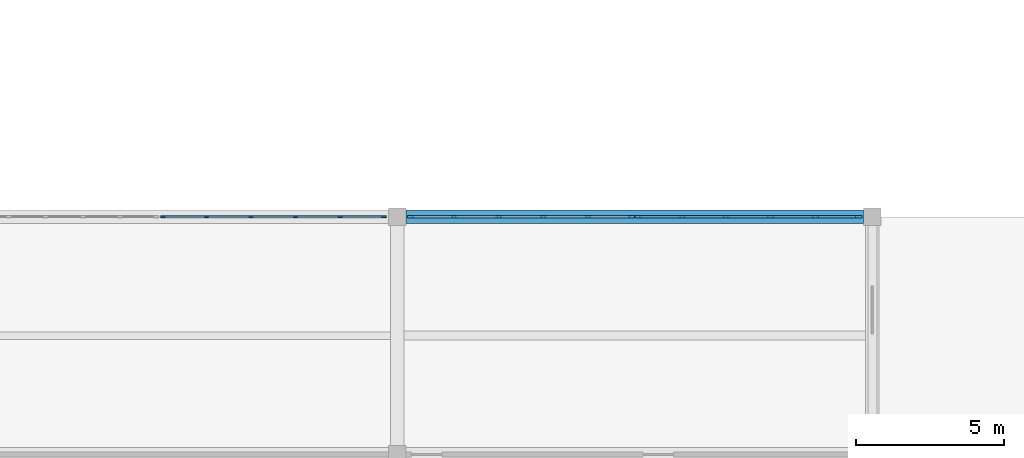
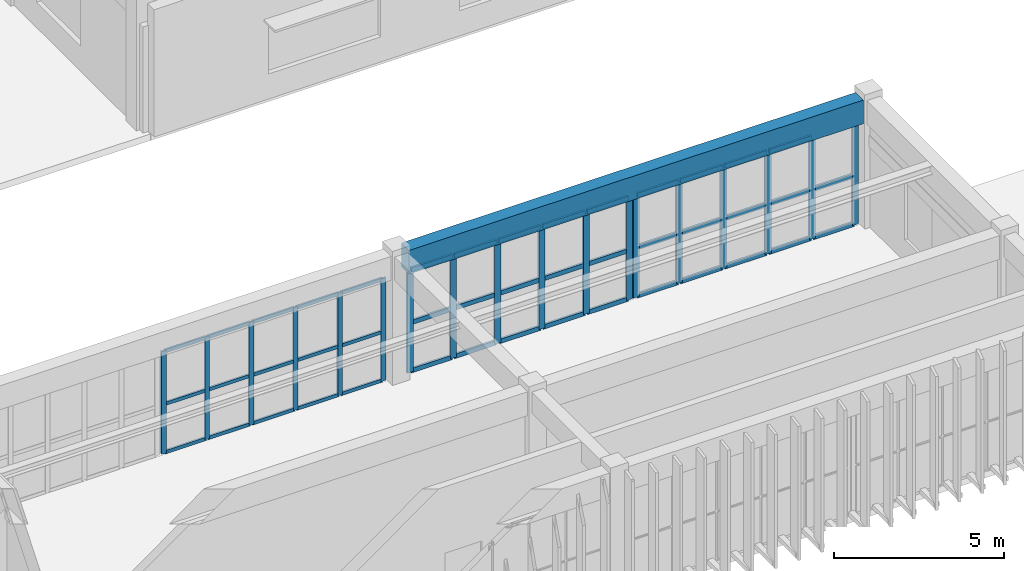
# One storey, part 37 of 76: 62 members, 1 beam, 3 elements without a shape of their own.
"""IFC4 building model written with IfcOpenShell, lengths in metres."""

from ifc_helpers import new_model, si_unit, direction, frame, origin, origin_2d, place, context, subcontext, project, spatial, rectangle, extrude, material, layer, layer_set, material_profile, profile_set, type_object, element, aggregate, save


model = new_model("IFC4")

# Units and contexts
model_context = context("Model", 3, precision=1e-05, world=origin(), true_north=direction((0.0, 1.0)))
body_context = subcontext(model_context, "Body", "Model", "MODEL_VIEW")
ifc_project = project(units=[si_unit("LENGTHUNIT", "METRE"), si_unit("AREAUNIT", "SQUARE_METRE"), si_unit("VOLUMEUNIT", "CUBIC_METRE"), si_unit("PLANEANGLEUNIT", "RADIAN"), si_unit("MASSUNIT", "GRAM", prefix="KILO")], contexts=[model_context])

# Site, building, storey
site_placement = place(None, origin())
site = spatial("IfcSite", under=ifc_project, at=site_placement, CompositionType="ELEMENT")
building_placement = place(site_placement, origin())
building = spatial("IfcBuilding", under=site, at=building_placement, Name="Cinchona Park Media Centre", CompositionType="ELEMENT")
storey_placement = place(building_placement, frame((0.0, 0.0, 15.60009765625)))
storey = spatial("IfcBuildingStorey", under=building, at=storey_placement, Name="L03", CompositionType="ELEMENT", Elevation=15.60009765625)

# Beam
ifc_material_1 = material(Name="Concrete C35/45", Category="concrete")
ifc_material_profile_1 = material_profile(ifc_material_1, rectangle(XDim=0.449951171875, YDim=0.85009765625, at=origin_2d()), Name="RB 450X850")
ifc_profile_set_1 = profile_set([ifc_material_profile_1], Name="Concrete C35/45")
beam_type = type_object("IfcBeamType", Name="BEAM-B02-RB450X850", PredefinedType="BEAM", material=ifc_profile_set_1)
beam_placement = place(storey_placement, frame((111.10009765625, 87.60009765625, 4.15478515625), z_axis=(1.0, 0.0, 0.0), x_axis=(0.0, 1.0, 0.0)))
element("IfcBeam", 1, at=beam_placement, inside=storey, type_object=beam_type, Name="Beam B02 L03", PredefinedType="BEAM", context=body_context, shape_type="SweptSolid", body=[
    extrude(rectangle(XDim=0.449951171875, YDim=0.85009765625, at=origin_2d()), origin(), (0.0, 0.0, 1.0), 15.39990234375),
])

# Curtain wall, members
ifc_material_2 = material(Name="Aluminium Curtain Wall Framing", Category="aluminium")
ifc_layer_1 = layer(ifc_material_2, 0.239990234375)
ifc_layer_set_1 = layer_set([ifc_layer_1], Name="Aluminium Curtain Wall Framing")
curtain_wall_type_1 = type_object("IfcCurtainWallType", Name="CW-CW05", PredefinedType="USERDEFINED", material=ifc_layer_set_1)
curtain_wall_1_placement = place(storey_placement, origin())
curtain_wall_1 = element("IfcCurtainWall", 2, at=curtain_wall_1_placement, inside=storey, type_object=curtain_wall_type_1, Name="Curtain Wall CW05 L03", ObjectType="UNITISED CURTAIN WALL", PredefinedType="USERDEFINED")
ifc_material_3 = material(Name="Anodised Aluminium Alloy 6063-T6", Category="aluminium")
ifc_material_profile_2 = material_profile(ifc_material_3, rectangle(XDim=0.06494140625, YDim=0.159912109375, at=origin_2d()), Name="MUL-65X160")
ifc_profile_set_2 = profile_set([ifc_material_profile_2], Name="Anodised Aluminium Alloy 6063-T6")
member_type_1 = type_object("IfcMemberType", Name="MULLION-MUL01", PredefinedType="MULLION", material=ifc_profile_set_2)
member_1_placement = place(storey_placement, frame((102.91259765625, 87.60009765625, 0.0498046875), z_axis=(0.0, 0.0, 1.0), x_axis=(0.0, 1.0, 0.0)))
member_1 = element("IfcMember", 3, at=member_1_placement, type_object=member_type_1, Name="CW05 mullion 1", PredefinedType="MULLION", context=body_context, shape_type="SweptSolid", body=[
    extrude(rectangle(XDim=0.06494140625, YDim=0.159912109375, at=origin_2d()), origin(), (0.0, 0.0, 1.0), 3.68017578125),
])
member_2_placement = place(storey_placement, frame((104.3798828125, 87.60009765625, 0.0498046875), z_axis=(0.0, 0.0, 1.0), x_axis=(0.0, 1.0, 0.0)))
member_2 = element("IfcMember", 4, at=member_2_placement, type_object=member_type_1, Name="CW05 mullion 2", PredefinedType="MULLION", context=body_context, shape_type="SweptSolid", body=[
    extrude(rectangle(XDim=0.06494140625, YDim=0.159912109375, at=origin_2d()), origin(), (0.0, 0.0, 1.0), 3.68017578125),
])
member_3_placement = place(storey_placement, frame((105.8798828125, 87.60009765625, 0.0498046875), z_axis=(0.0, 0.0, 1.0), x_axis=(0.0, 1.0, 0.0)))
member_3 = element("IfcMember", 5, at=member_3_placement, type_object=member_type_1, Name="CW05 mullion 3", PredefinedType="MULLION", context=body_context, shape_type="SweptSolid", body=[
    extrude(rectangle(XDim=0.06494140625, YDim=0.159912109375, at=origin_2d()), origin(), (0.0, 0.0, 1.0), 3.68017578125),
])
member_4_placement = place(storey_placement, frame((107.3798828125, 87.60009765625, 0.0498046875), z_axis=(0.0, 0.0, 1.0), x_axis=(0.0, 1.0, 0.0)))
member_4 = element("IfcMember", 6, at=member_4_placement, type_object=member_type_1, Name="CW05 mullion 4", PredefinedType="MULLION", context=body_context, shape_type="SweptSolid", body=[
    extrude(rectangle(XDim=0.06494140625, YDim=0.159912109375, at=origin_2d()), origin(), (0.0, 0.0, 1.0), 3.68017578125),
])
member_5_placement = place(storey_placement, frame((108.8798828125, 87.60009765625, 0.0498046875), z_axis=(0.0, 0.0, 1.0), x_axis=(0.0, 1.0, 0.0)))
member_5 = element("IfcMember", 7, at=member_5_placement, type_object=member_type_1, Name="CW05 mullion 5", PredefinedType="MULLION", context=body_context, shape_type="SweptSolid", body=[
    extrude(rectangle(XDim=0.06494140625, YDim=0.159912109375, at=origin_2d()), origin(), (0.0, 0.0, 1.0), 3.68017578125),
])
member_6_placement = place(storey_placement, frame((110.347412109375, 87.60009765625, 0.0498046875), z_axis=(0.0, 0.0, 1.0), x_axis=(0.0, 1.0, 0.0)))
member_6 = element("IfcMember", 8, at=member_6_placement, type_object=member_type_1, Name="CW05 mullion 6", PredefinedType="MULLION", context=body_context, shape_type="SweptSolid", body=[
    extrude(rectangle(XDim=0.06494140625, YDim=0.159912109375, at=origin_2d()), origin(), (0.0, 0.0, 1.0), 3.68017578125),
])

ifc_material_4 = material(Name="Aluminium Curtain Wall Framing", Category="aluminium")
ifc_layer_2 = layer(ifc_material_4, 0.2548828125)
ifc_layer_set_2 = layer_set([ifc_layer_2], Name="Aluminium Curtain Wall Framing")
curtain_wall_type_2 = type_object("IfcCurtainWallType", Name="CW-CW06", PredefinedType="USERDEFINED", material=ifc_layer_set_2)
curtain_wall_2_placement = place(storey_placement, origin())
curtain_wall_2 = element("IfcCurtainWall", 9, at=curtain_wall_2_placement, inside=storey, type_object=curtain_wall_type_2, Name="Curtain Wall CW06 L03", ObjectType="UNITISED CURTAIN WALL", PredefinedType="USERDEFINED")
ifc_material_5 = material(Name="Anodised Aluminium Alloy 6063-T6", Category="aluminium")
ifc_material_profile_3 = material_profile(ifc_material_5, rectangle(XDim=0.074951171875, YDim=0.2099609375, at=origin_2d()), Name="MUL-75X210")
ifc_profile_set_3 = profile_set([ifc_material_profile_3], Name="Anodised Aluminium Alloy 6063-T6")
member_type_2 = type_object("IfcMemberType", Name="MULLION-MUL03", PredefinedType="MULLION", material=ifc_profile_set_3)
member_7_placement = place(storey_placement, frame((111.257568359375, 87.60009765625, 0.0498046875), z_axis=(0.0, 0.0, 1.0), x_axis=(0.0, 1.0, 0.0)))
member_7 = element("IfcMember", 10, at=member_7_placement, type_object=member_type_2, Name="CW06 mullion 1", PredefinedType="MULLION", context=body_context, shape_type="SweptSolid", body=[
    extrude(rectangle(XDim=0.074951171875, YDim=0.2099609375, at=origin_2d()), origin(), (0.0, 0.0, 1.0), 3.68017578125),
])
member_8_placement = place(storey_placement, frame((112.719970703125, 87.60009765625, 0.0498046875), z_axis=(0.0, 0.0, 1.0), x_axis=(0.0, 1.0, 0.0)))
member_8 = element("IfcMember", 11, at=member_8_placement, type_object=member_type_2, Name="CW06 mullion 2", PredefinedType="MULLION", context=body_context, shape_type="SweptSolid", body=[
    extrude(rectangle(XDim=0.074951171875, YDim=0.2099609375, at=origin_2d()), origin(), (0.0, 0.0, 1.0), 3.68017578125),
])
member_9_placement = place(storey_placement, frame((114.219970703125, 87.60009765625, 0.0498046875), z_axis=(0.0, 0.0, 1.0), x_axis=(0.0, 1.0, 0.0)))
member_9 = element("IfcMember", 12, at=member_9_placement, type_object=member_type_2, Name="CW06 mullion 3", PredefinedType="MULLION", context=body_context, shape_type="SweptSolid", body=[
    extrude(rectangle(XDim=0.074951171875, YDim=0.2099609375, at=origin_2d()), origin(), (0.0, 0.0, 1.0), 3.68017578125),
])
member_10_placement = place(storey_placement, frame((115.719970703125, 87.60009765625, 0.0498046875), z_axis=(0.0, 0.0, 1.0), x_axis=(0.0, 1.0, 0.0)))
member_10 = element("IfcMember", 13, at=member_10_placement, type_object=member_type_2, Name="CW06 mullion 4", PredefinedType="MULLION", context=body_context, shape_type="SweptSolid", body=[
    extrude(rectangle(XDim=0.074951171875, YDim=0.2099609375, at=origin_2d()), origin(), (0.0, 0.0, 1.0), 3.68017578125),
])
member_11_placement = place(storey_placement, frame((117.219970703125, 87.60009765625, 0.0498046875), z_axis=(0.0, 0.0, 1.0), x_axis=(0.0, 1.0, 0.0)))
member_11 = element("IfcMember", 14, at=member_11_placement, type_object=member_type_2, Name="CW06 mullion 5", PredefinedType="MULLION", context=body_context, shape_type="SweptSolid", body=[
    extrude(rectangle(XDim=0.074951171875, YDim=0.2099609375, at=origin_2d()), origin(), (0.0, 0.0, 1.0), 3.68017578125),
])
member_12_placement = place(storey_placement, frame((118.6826171875, 87.60009765625, 0.0498046875), z_axis=(0.0, 0.0, 1.0), x_axis=(0.0, 1.0, 0.0)))
member_12 = element("IfcMember", 15, at=member_12_placement, type_object=member_type_2, Name="CW06 mullion 6", PredefinedType="MULLION", context=body_context, shape_type="SweptSolid", body=[
    extrude(rectangle(XDim=0.074951171875, YDim=0.2099609375, at=origin_2d()), origin(), (0.0, 0.0, 1.0), 3.68017578125),
])

ifc_material_6 = material(Name="Aluminium Curtain Wall Framing", Category="aluminium")
ifc_layer_3 = layer(ifc_material_6, 0.27001953125)
ifc_layer_set_3 = layer_set([ifc_layer_3], Name="Aluminium Curtain Wall Framing")
curtain_wall_type_3 = type_object("IfcCurtainWallType", Name="CW-CW07", PredefinedType="USERDEFINED", material=ifc_layer_set_3)
curtain_wall_3_placement = place(storey_placement, origin())
curtain_wall_3 = element("IfcCurtainWall", 16, at=curtain_wall_3_placement, inside=storey, type_object=curtain_wall_type_3, Name="Curtain Wall CW07 L03", ObjectType="UNITISED CURTAIN WALL", PredefinedType="USERDEFINED")
member_13_placement = place(storey_placement, frame((118.91748046875, 87.60009765625, 0.0498046875), z_axis=(0.0, 0.0, 1.0), x_axis=(0.0, 1.0, 0.0)))
member_13 = element("IfcMember", 17, at=member_13_placement, type_object=member_type_2, Name="CW07 mullion 1", PredefinedType="MULLION", context=body_context, shape_type="SweptSolid", body=[
    extrude(rectangle(XDim=0.074951171875, YDim=0.2099609375, at=origin_2d()), origin(), (0.0, 0.0, 1.0), 3.68017578125),
])
member_14_placement = place(storey_placement, frame((120.3798828125, 87.60009765625, 0.0498046875), z_axis=(0.0, 0.0, 1.0), x_axis=(0.0, 1.0, 0.0)))
member_14 = element("IfcMember", 18, at=member_14_placement, type_object=member_type_2, Name="CW07 mullion 2", PredefinedType="MULLION", context=body_context, shape_type="SweptSolid", body=[
    extrude(rectangle(XDim=0.074951171875, YDim=0.2099609375, at=origin_2d()), origin(), (0.0, 0.0, 1.0), 3.68017578125),
])
member_15_placement = place(storey_placement, frame((121.8798828125, 87.60009765625, 0.0498046875), z_axis=(0.0, 0.0, 1.0), x_axis=(0.0, 1.0, 0.0)))
member_15 = element("IfcMember", 19, at=member_15_placement, type_object=member_type_2, Name="CW07 mullion 3", PredefinedType="MULLION", context=body_context, shape_type="SweptSolid", body=[
    extrude(rectangle(XDim=0.074951171875, YDim=0.2099609375, at=origin_2d()), origin(), (0.0, 0.0, 1.0), 3.68017578125),
])
member_16_placement = place(storey_placement, frame((123.3798828125, 87.60009765625, 0.0498046875), z_axis=(0.0, 0.0, 1.0), x_axis=(0.0, 1.0, 0.0)))
member_16 = element("IfcMember", 20, at=member_16_placement, type_object=member_type_2, Name="CW07 mullion 4", PredefinedType="MULLION", context=body_context, shape_type="SweptSolid", body=[
    extrude(rectangle(XDim=0.074951171875, YDim=0.2099609375, at=origin_2d()), origin(), (0.0, 0.0, 1.0), 3.68017578125),
])
member_17_placement = place(storey_placement, frame((124.8798828125, 87.60009765625, 0.0498046875), z_axis=(0.0, 0.0, 1.0), x_axis=(0.0, 1.0, 0.0)))
member_17 = element("IfcMember", 21, at=member_17_placement, type_object=member_type_2, Name="CW07 mullion 5", PredefinedType="MULLION", context=body_context, shape_type="SweptSolid", body=[
    extrude(rectangle(XDim=0.074951171875, YDim=0.2099609375, at=origin_2d()), origin(), (0.0, 0.0, 1.0), 3.68017578125),
])
member_18_placement = place(storey_placement, frame((126.342529296875, 87.60009765625, 0.0498046875), z_axis=(0.0, 0.0, 1.0), x_axis=(0.0, 1.0, 0.0)))
member_18 = element("IfcMember", 22, at=member_18_placement, type_object=member_type_2, Name="CW07 mullion 6", PredefinedType="MULLION", context=body_context, shape_type="SweptSolid", body=[
    extrude(rectangle(XDim=0.074951171875, YDim=0.2099609375, at=origin_2d()), origin(), (0.0, 0.0, 1.0), 3.68017578125),
])

# Member
ifc_material_7 = material(Name="Anodised Aluminium Alloy 6063-T6", Category="aluminium")
ifc_material_profile_4 = material_profile(ifc_material_7, rectangle(XDim=0.06494140625, YDim=0.1201171875, at=origin_2d()), Name="TRN-65X120")
ifc_profile_set_4 = profile_set([ifc_material_profile_4], Name="Anodised Aluminium Alloy 6063-T6")
member_type_3 = type_object("IfcMemberType", Name="TRANSOM-TRN01", PredefinedType="USERDEFINED", material=ifc_profile_set_4)
member_19_placement = place(storey_placement, frame((102.945068359375, 87.60009765625, 0.08251953125), z_axis=(1.0, 0.0, 0.0), x_axis=(0.0, 1.0, 0.0)))
member_19 = element("IfcMember", 23, at=member_19_placement, type_object=member_type_3, Name="CW05 transom 1.1", ObjectType="TRANSOM", PredefinedType="USERDEFINED", context=body_context, shape_type="SweptSolid", body=[
    extrude(rectangle(XDim=0.06494140625, YDim=0.1201171875, at=origin_2d()), origin(), (0.0, 0.0, 1.0), 1.40234375),
])

member_20_placement = place(storey_placement, frame((102.945068359375, 87.60009765625, 1.81591796875), z_axis=(1.0, 0.0, 0.0), x_axis=(0.0, 1.0, 0.0)))
member_20 = element("IfcMember", 24, at=member_20_placement, type_object=member_type_3, Name="CW05 transom 1.2", ObjectType="TRANSOM", PredefinedType="USERDEFINED", context=body_context, shape_type="SweptSolid", body=[
    extrude(rectangle(XDim=0.06494140625, YDim=0.1201171875, at=origin_2d()), origin(), (0.0, 0.0, 1.0), 1.40234375),
])

member_21_placement = place(storey_placement, frame((102.945068359375, 87.60009765625, 3.697509765625), z_axis=(1.0, 0.0, 0.0), x_axis=(0.0, 1.0, 0.0)))
member_21 = element("IfcMember", 25, at=member_21_placement, type_object=member_type_3, Name="CW05 transom 1.3", ObjectType="TRANSOM", PredefinedType="USERDEFINED", context=body_context, shape_type="SweptSolid", body=[
    extrude(rectangle(XDim=0.06494140625, YDim=0.1201171875, at=origin_2d()), origin(), (0.0, 0.0, 1.0), 1.40234375),
])

member_22_placement = place(storey_placement, frame((104.41259765625, 87.60009765625, 0.08251953125), z_axis=(1.0, 0.0, 0.0), x_axis=(0.0, 1.0, 0.0)))
member_22 = element("IfcMember", 26, at=member_22_placement, type_object=member_type_3, Name="CW05 transom 2.1", ObjectType="TRANSOM", PredefinedType="USERDEFINED", context=body_context, shape_type="SweptSolid", body=[
    extrude(rectangle(XDim=0.06494140625, YDim=0.1201171875, at=origin_2d()), origin(), (0.0, 0.0, 1.0), 1.434814453125),
])

member_23_placement = place(storey_placement, frame((104.41259765625, 87.60009765625, 1.81591796875), z_axis=(1.0, 0.0, 0.0), x_axis=(0.0, 1.0, 0.0)))
member_23 = element("IfcMember", 27, at=member_23_placement, type_object=member_type_3, Name="CW05 transom 2.2", ObjectType="TRANSOM", PredefinedType="USERDEFINED", context=body_context, shape_type="SweptSolid", body=[
    extrude(rectangle(XDim=0.06494140625, YDim=0.1201171875, at=origin_2d()), origin(), (0.0, 0.0, 1.0), 1.434814453125),
])

member_24_placement = place(storey_placement, frame((104.41259765625, 87.60009765625, 3.697509765625), z_axis=(1.0, 0.0, 0.0), x_axis=(0.0, 1.0, 0.0)))
member_24 = element("IfcMember", 28, at=member_24_placement, type_object=member_type_3, Name="CW05 transom 2.3", ObjectType="TRANSOM", PredefinedType="USERDEFINED", context=body_context, shape_type="SweptSolid", body=[
    extrude(rectangle(XDim=0.06494140625, YDim=0.1201171875, at=origin_2d()), origin(), (0.0, 0.0, 1.0), 1.434814453125),
])

member_25_placement = place(storey_placement, frame((105.91259765625, 87.60009765625, 0.08251953125), z_axis=(1.0, 0.0, 0.0), x_axis=(0.0, 1.0, 0.0)))
member_25 = element("IfcMember", 29, at=member_25_placement, type_object=member_type_3, Name="CW05 transom 3.1", ObjectType="TRANSOM", PredefinedType="USERDEFINED", context=body_context, shape_type="SweptSolid", body=[
    extrude(rectangle(XDim=0.06494140625, YDim=0.1201171875, at=origin_2d()), origin(), (0.0, 0.0, 1.0), 1.434814453125),
])

member_26_placement = place(storey_placement, frame((105.91259765625, 87.60009765625, 1.81591796875), z_axis=(1.0, 0.0, 0.0), x_axis=(0.0, 1.0, 0.0)))
member_26 = element("IfcMember", 30, at=member_26_placement, type_object=member_type_3, Name="CW05 transom 3.2", ObjectType="TRANSOM", PredefinedType="USERDEFINED", context=body_context, shape_type="SweptSolid", body=[
    extrude(rectangle(XDim=0.06494140625, YDim=0.1201171875, at=origin_2d()), origin(), (0.0, 0.0, 1.0), 1.434814453125),
])

member_27_placement = place(storey_placement, frame((105.91259765625, 87.60009765625, 3.697509765625), z_axis=(1.0, 0.0, 0.0), x_axis=(0.0, 1.0, 0.0)))
member_27 = element("IfcMember", 31, at=member_27_placement, type_object=member_type_3, Name="CW05 transom 3.3", ObjectType="TRANSOM", PredefinedType="USERDEFINED", context=body_context, shape_type="SweptSolid", body=[
    extrude(rectangle(XDim=0.06494140625, YDim=0.1201171875, at=origin_2d()), origin(), (0.0, 0.0, 1.0), 1.434814453125),
])

member_28_placement = place(storey_placement, frame((107.41259765625, 87.60009765625, 0.08251953125), z_axis=(1.0, 0.0, 0.0), x_axis=(0.0, 1.0, 0.0)))
member_28 = element("IfcMember", 32, at=member_28_placement, type_object=member_type_3, Name="CW05 transom 4.1", ObjectType="TRANSOM", PredefinedType="USERDEFINED", context=body_context, shape_type="SweptSolid", body=[
    extrude(rectangle(XDim=0.06494140625, YDim=0.1201171875, at=origin_2d()), origin(), (0.0, 0.0, 1.0), 1.434814453125),
])

member_29_placement = place(storey_placement, frame((107.41259765625, 87.60009765625, 1.81591796875), z_axis=(1.0, 0.0, 0.0), x_axis=(0.0, 1.0, 0.0)))
member_29 = element("IfcMember", 33, at=member_29_placement, type_object=member_type_3, Name="CW05 transom 4.2", ObjectType="TRANSOM", PredefinedType="USERDEFINED", context=body_context, shape_type="SweptSolid", body=[
    extrude(rectangle(XDim=0.06494140625, YDim=0.1201171875, at=origin_2d()), origin(), (0.0, 0.0, 1.0), 1.434814453125),
])

member_30_placement = place(storey_placement, frame((107.41259765625, 87.60009765625, 3.697509765625), z_axis=(1.0, 0.0, 0.0), x_axis=(0.0, 1.0, 0.0)))
member_30 = element("IfcMember", 34, at=member_30_placement, type_object=member_type_3, Name="CW05 transom 4.3", ObjectType="TRANSOM", PredefinedType="USERDEFINED", context=body_context, shape_type="SweptSolid", body=[
    extrude(rectangle(XDim=0.06494140625, YDim=0.1201171875, at=origin_2d()), origin(), (0.0, 0.0, 1.0), 1.434814453125),
])

member_31_placement = place(storey_placement, frame((108.91259765625, 87.60009765625, 0.08251953125), z_axis=(1.0, 0.0, 0.0), x_axis=(0.0, 1.0, 0.0)))
member_31 = element("IfcMember", 35, at=member_31_placement, type_object=member_type_3, Name="CW05 transom 5.1", ObjectType="TRANSOM", PredefinedType="USERDEFINED", context=body_context, shape_type="SweptSolid", body=[
    extrude(rectangle(XDim=0.06494140625, YDim=0.1201171875, at=origin_2d()), origin(), (0.0, 0.0, 1.0), 1.40234375),
])

member_32_placement = place(storey_placement, frame((108.91259765625, 87.60009765625, 1.81591796875), z_axis=(1.0, 0.0, 0.0), x_axis=(0.0, 1.0, 0.0)))
member_32 = element("IfcMember", 36, at=member_32_placement, type_object=member_type_3, Name="CW05 transom 5.2", ObjectType="TRANSOM", PredefinedType="USERDEFINED", context=body_context, shape_type="SweptSolid", body=[
    extrude(rectangle(XDim=0.06494140625, YDim=0.1201171875, at=origin_2d()), origin(), (0.0, 0.0, 1.0), 1.40234375),
])

member_33_placement = place(storey_placement, frame((108.91259765625, 87.60009765625, 3.697509765625), z_axis=(1.0, 0.0, 0.0), x_axis=(0.0, 1.0, 0.0)))
member_33 = element("IfcMember", 37, at=member_33_placement, type_object=member_type_3, Name="CW05 transom 5.3", ObjectType="TRANSOM", PredefinedType="USERDEFINED", context=body_context, shape_type="SweptSolid", body=[
    extrude(rectangle(XDim=0.06494140625, YDim=0.1201171875, at=origin_2d()), origin(), (0.0, 0.0, 1.0), 1.40234375),
])

aggregate(curtain_wall_1, [member_1, member_2, member_3, member_4, member_5, member_6, member_19, member_20, member_21, member_22, member_23, member_24, member_25, member_26, member_27, member_28, member_29, member_30, member_31, member_32, member_33])

ifc_material_8 = material(Name="Anodised Aluminium Alloy 6063-T6", Category="aluminium")
ifc_material_profile_5 = material_profile(ifc_material_8, rectangle(XDim=0.074951171875, YDim=0.159912109375, at=origin_2d()), Name="TRN-75X160")
ifc_profile_set_5 = profile_set([ifc_material_profile_5], Name="Anodised Aluminium Alloy 6063-T6")
member_type_4 = type_object("IfcMemberType", Name="TRANSOM-TRN03", PredefinedType="USERDEFINED", material=ifc_profile_set_5)
member_34_placement = place(storey_placement, frame((111.294921875, 87.60009765625, 0.08740234375), z_axis=(1.0, 0.0, 0.0), x_axis=(0.0, 1.0, 0.0)))
member_34 = element("IfcMember", 38, at=member_34_placement, type_object=member_type_4, Name="CW06 transom 1.1", ObjectType="TRANSOM", PredefinedType="USERDEFINED", context=body_context, shape_type="SweptSolid", body=[
    extrude(rectangle(XDim=0.074951171875, YDim=0.159912109375, at=origin_2d()), origin(), (0.0, 0.0, 1.0), 1.3876953125),
])

member_35_placement = place(storey_placement, frame((111.294921875, 87.60009765625, 1.81591796875), z_axis=(1.0, 0.0, 0.0), x_axis=(0.0, 1.0, 0.0)))
member_35 = element("IfcMember", 39, at=member_35_placement, type_object=member_type_4, Name="CW06 transom 1.2", ObjectType="TRANSOM", PredefinedType="USERDEFINED", context=body_context, shape_type="SweptSolid", body=[
    extrude(rectangle(XDim=0.074951171875, YDim=0.159912109375, at=origin_2d()), origin(), (0.0, 0.0, 1.0), 1.3876953125),
])

member_36_placement = place(storey_placement, frame((111.294921875, 87.60009765625, 3.6923828125), z_axis=(1.0, 0.0, 0.0), x_axis=(0.0, 1.0, 0.0)))
member_36 = element("IfcMember", 40, at=member_36_placement, type_object=member_type_4, Name="CW06 transom 1.3", ObjectType="TRANSOM", PredefinedType="USERDEFINED", context=body_context, shape_type="SweptSolid", body=[
    extrude(rectangle(XDim=0.074951171875, YDim=0.159912109375, at=origin_2d()), origin(), (0.0, 0.0, 1.0), 1.3876953125),
])

member_37_placement = place(storey_placement, frame((112.757568359375, 87.60009765625, 0.08740234375), z_axis=(1.0, 0.0, 0.0), x_axis=(0.0, 1.0, 0.0)))
member_37 = element("IfcMember", 41, at=member_37_placement, type_object=member_type_4, Name="CW06 transom 2.1", ObjectType="TRANSOM", PredefinedType="USERDEFINED", context=body_context, shape_type="SweptSolid", body=[
    extrude(rectangle(XDim=0.074951171875, YDim=0.159912109375, at=origin_2d()), origin(), (0.0, 0.0, 1.0), 1.425048828125),
])

member_38_placement = place(storey_placement, frame((112.757568359375, 87.60009765625, 1.81591796875), z_axis=(1.0, 0.0, 0.0), x_axis=(0.0, 1.0, 0.0)))
member_38 = element("IfcMember", 42, at=member_38_placement, type_object=member_type_4, Name="CW06 transom 2.2", ObjectType="TRANSOM", PredefinedType="USERDEFINED", context=body_context, shape_type="SweptSolid", body=[
    extrude(rectangle(XDim=0.074951171875, YDim=0.159912109375, at=origin_2d()), origin(), (0.0, 0.0, 1.0), 1.425048828125),
])

member_39_placement = place(storey_placement, frame((112.757568359375, 87.60009765625, 3.6923828125), z_axis=(1.0, 0.0, 0.0), x_axis=(0.0, 1.0, 0.0)))
member_39 = element("IfcMember", 43, at=member_39_placement, type_object=member_type_4, Name="CW06 transom 2.3", ObjectType="TRANSOM", PredefinedType="USERDEFINED", context=body_context, shape_type="SweptSolid", body=[
    extrude(rectangle(XDim=0.074951171875, YDim=0.159912109375, at=origin_2d()), origin(), (0.0, 0.0, 1.0), 1.425048828125),
])

member_40_placement = place(storey_placement, frame((114.257568359375, 87.60009765625, 0.08740234375), z_axis=(1.0, 0.0, 0.0), x_axis=(0.0, 1.0, 0.0)))
member_40 = element("IfcMember", 44, at=member_40_placement, type_object=member_type_4, Name="CW06 transom 3.1", ObjectType="TRANSOM", PredefinedType="USERDEFINED", context=body_context, shape_type="SweptSolid", body=[
    extrude(rectangle(XDim=0.074951171875, YDim=0.159912109375, at=origin_2d()), origin(), (0.0, 0.0, 1.0), 1.425048828125),
])

member_41_placement = place(storey_placement, frame((114.257568359375, 87.60009765625, 1.81591796875), z_axis=(1.0, 0.0, 0.0), x_axis=(0.0, 1.0, 0.0)))
member_41 = element("IfcMember", 45, at=member_41_placement, type_object=member_type_4, Name="CW06 transom 3.2", ObjectType="TRANSOM", PredefinedType="USERDEFINED", context=body_context, shape_type="SweptSolid", body=[
    extrude(rectangle(XDim=0.074951171875, YDim=0.159912109375, at=origin_2d()), origin(), (0.0, 0.0, 1.0), 1.425048828125),
])

member_42_placement = place(storey_placement, frame((114.257568359375, 87.60009765625, 3.6923828125), z_axis=(1.0, 0.0, 0.0), x_axis=(0.0, 1.0, 0.0)))
member_42 = element("IfcMember", 46, at=member_42_placement, type_object=member_type_4, Name="CW06 transom 3.3", ObjectType="TRANSOM", PredefinedType="USERDEFINED", context=body_context, shape_type="SweptSolid", body=[
    extrude(rectangle(XDim=0.074951171875, YDim=0.159912109375, at=origin_2d()), origin(), (0.0, 0.0, 1.0), 1.425048828125),
])

member_43_placement = place(storey_placement, frame((115.757568359375, 87.60009765625, 0.08740234375), z_axis=(1.0, 0.0, 0.0), x_axis=(0.0, 1.0, 0.0)))
member_43 = element("IfcMember", 47, at=member_43_placement, type_object=member_type_4, Name="CW06 transom 4.1", ObjectType="TRANSOM", PredefinedType="USERDEFINED", context=body_context, shape_type="SweptSolid", body=[
    extrude(rectangle(XDim=0.074951171875, YDim=0.159912109375, at=origin_2d()), origin(), (0.0, 0.0, 1.0), 1.425048828125),
])

member_44_placement = place(storey_placement, frame((115.757568359375, 87.60009765625, 1.81591796875), z_axis=(1.0, 0.0, 0.0), x_axis=(0.0, 1.0, 0.0)))
member_44 = element("IfcMember", 48, at=member_44_placement, type_object=member_type_4, Name="CW06 transom 4.2", ObjectType="TRANSOM", PredefinedType="USERDEFINED", context=body_context, shape_type="SweptSolid", body=[
    extrude(rectangle(XDim=0.074951171875, YDim=0.159912109375, at=origin_2d()), origin(), (0.0, 0.0, 1.0), 1.425048828125),
])

member_45_placement = place(storey_placement, frame((115.757568359375, 87.60009765625, 3.6923828125), z_axis=(1.0, 0.0, 0.0), x_axis=(0.0, 1.0, 0.0)))
member_45 = element("IfcMember", 49, at=member_45_placement, type_object=member_type_4, Name="CW06 transom 4.3", ObjectType="TRANSOM", PredefinedType="USERDEFINED", context=body_context, shape_type="SweptSolid", body=[
    extrude(rectangle(XDim=0.074951171875, YDim=0.159912109375, at=origin_2d()), origin(), (0.0, 0.0, 1.0), 1.425048828125),
])

member_46_placement = place(storey_placement, frame((117.257568359375, 87.60009765625, 0.08740234375), z_axis=(1.0, 0.0, 0.0), x_axis=(0.0, 1.0, 0.0)))
member_46 = element("IfcMember", 50, at=member_46_placement, type_object=member_type_4, Name="CW06 transom 5.1", ObjectType="TRANSOM", PredefinedType="USERDEFINED", context=body_context, shape_type="SweptSolid", body=[
    extrude(rectangle(XDim=0.074951171875, YDim=0.159912109375, at=origin_2d()), origin(), (0.0, 0.0, 1.0), 1.387451171875),
])

member_47_placement = place(storey_placement, frame((117.257568359375, 87.60009765625, 1.81591796875), z_axis=(1.0, 0.0, 0.0), x_axis=(0.0, 1.0, 0.0)))
member_47 = element("IfcMember", 51, at=member_47_placement, type_object=member_type_4, Name="CW06 transom 5.2", ObjectType="TRANSOM", PredefinedType="USERDEFINED", context=body_context, shape_type="SweptSolid", body=[
    extrude(rectangle(XDim=0.074951171875, YDim=0.159912109375, at=origin_2d()), origin(), (0.0, 0.0, 1.0), 1.387451171875),
])

member_48_placement = place(storey_placement, frame((117.257568359375, 87.60009765625, 3.6923828125), z_axis=(1.0, 0.0, 0.0), x_axis=(0.0, 1.0, 0.0)))
member_48 = element("IfcMember", 52, at=member_48_placement, type_object=member_type_4, Name="CW06 transom 5.3", ObjectType="TRANSOM", PredefinedType="USERDEFINED", context=body_context, shape_type="SweptSolid", body=[
    extrude(rectangle(XDim=0.074951171875, YDim=0.159912109375, at=origin_2d()), origin(), (0.0, 0.0, 1.0), 1.387451171875),
])

aggregate(curtain_wall_2, [member_7, member_8, member_9, member_10, member_11, member_12, member_34, member_35, member_36, member_37, member_38, member_39, member_40, member_41, member_42, member_43, member_44, member_45, member_46, member_47, member_48])

member_49_placement = place(storey_placement, frame((118.955078125, 87.60009765625, 0.08740234375), z_axis=(1.0, 0.0, 0.0), x_axis=(0.0, 1.0, 0.0)))
member_49 = element("IfcMember", 53, at=member_49_placement, type_object=member_type_4, Name="CW07 transom 1.1", ObjectType="TRANSOM", PredefinedType="USERDEFINED", context=body_context, shape_type="SweptSolid", body=[
    extrude(rectangle(XDim=0.074951171875, YDim=0.159912109375, at=origin_2d()), origin(), (0.0, 0.0, 1.0), 1.387451171875),
])

member_50_placement = place(storey_placement, frame((118.955078125, 87.60009765625, 1.81591796875), z_axis=(1.0, 0.0, 0.0), x_axis=(0.0, 1.0, 0.0)))
member_50 = element("IfcMember", 54, at=member_50_placement, type_object=member_type_4, Name="CW07 transom 1.2", ObjectType="TRANSOM", PredefinedType="USERDEFINED", context=body_context, shape_type="SweptSolid", body=[
    extrude(rectangle(XDim=0.074951171875, YDim=0.159912109375, at=origin_2d()), origin(), (0.0, 0.0, 1.0), 1.387451171875),
])

member_51_placement = place(storey_placement, frame((118.955078125, 87.60009765625, 3.6923828125), z_axis=(1.0, 0.0, 0.0), x_axis=(0.0, 1.0, 0.0)))
member_51 = element("IfcMember", 55, at=member_51_placement, type_object=member_type_4, Name="CW07 transom 1.3", ObjectType="TRANSOM", PredefinedType="USERDEFINED", context=body_context, shape_type="SweptSolid", body=[
    extrude(rectangle(XDim=0.074951171875, YDim=0.159912109375, at=origin_2d()), origin(), (0.0, 0.0, 1.0), 1.387451171875),
])

member_52_placement = place(storey_placement, frame((120.41748046875, 87.60009765625, 0.08740234375), z_axis=(1.0, 0.0, 0.0), x_axis=(0.0, 1.0, 0.0)))
member_52 = element("IfcMember", 56, at=member_52_placement, type_object=member_type_4, Name="CW07 transom 2.1", ObjectType="TRANSOM", PredefinedType="USERDEFINED", context=body_context, shape_type="SweptSolid", body=[
    extrude(rectangle(XDim=0.074951171875, YDim=0.159912109375, at=origin_2d()), origin(), (0.0, 0.0, 1.0), 1.425048828125),
])

member_53_placement = place(storey_placement, frame((120.41748046875, 87.60009765625, 1.81591796875), z_axis=(1.0, 0.0, 0.0), x_axis=(0.0, 1.0, 0.0)))
member_53 = element("IfcMember", 57, at=member_53_placement, type_object=member_type_4, Name="CW07 transom 2.2", ObjectType="TRANSOM", PredefinedType="USERDEFINED", context=body_context, shape_type="SweptSolid", body=[
    extrude(rectangle(XDim=0.074951171875, YDim=0.159912109375, at=origin_2d()), origin(), (0.0, 0.0, 1.0), 1.425048828125),
])

member_54_placement = place(storey_placement, frame((120.41748046875, 87.60009765625, 3.6923828125), z_axis=(1.0, 0.0, 0.0), x_axis=(0.0, 1.0, 0.0)))
member_54 = element("IfcMember", 58, at=member_54_placement, type_object=member_type_4, Name="CW07 transom 2.3", ObjectType="TRANSOM", PredefinedType="USERDEFINED", context=body_context, shape_type="SweptSolid", body=[
    extrude(rectangle(XDim=0.074951171875, YDim=0.159912109375, at=origin_2d()), origin(), (0.0, 0.0, 1.0), 1.425048828125),
])

member_55_placement = place(storey_placement, frame((121.91748046875, 87.60009765625, 0.08740234375), z_axis=(1.0, 0.0, 0.0), x_axis=(0.0, 1.0, 0.0)))
member_55 = element("IfcMember", 59, at=member_55_placement, type_object=member_type_4, Name="CW07 transom 3.1", ObjectType="TRANSOM", PredefinedType="USERDEFINED", context=body_context, shape_type="SweptSolid", body=[
    extrude(rectangle(XDim=0.074951171875, YDim=0.159912109375, at=origin_2d()), origin(), (0.0, 0.0, 1.0), 1.425048828125),
])

member_56_placement = place(storey_placement, frame((121.91748046875, 87.60009765625, 1.81591796875), z_axis=(1.0, 0.0, 0.0), x_axis=(0.0, 1.0, 0.0)))
member_56 = element("IfcMember", 60, at=member_56_placement, type_object=member_type_4, Name="CW07 transom 3.2", ObjectType="TRANSOM", PredefinedType="USERDEFINED", context=body_context, shape_type="SweptSolid", body=[
    extrude(rectangle(XDim=0.074951171875, YDim=0.159912109375, at=origin_2d()), origin(), (0.0, 0.0, 1.0), 1.425048828125),
])

member_57_placement = place(storey_placement, frame((121.91748046875, 87.60009765625, 3.6923828125), z_axis=(1.0, 0.0, 0.0), x_axis=(0.0, 1.0, 0.0)))
member_57 = element("IfcMember", 61, at=member_57_placement, type_object=member_type_4, Name="CW07 transom 3.3", ObjectType="TRANSOM", PredefinedType="USERDEFINED", context=body_context, shape_type="SweptSolid", body=[
    extrude(rectangle(XDim=0.074951171875, YDim=0.159912109375, at=origin_2d()), origin(), (0.0, 0.0, 1.0), 1.425048828125),
])

member_58_placement = place(storey_placement, frame((123.41748046875, 87.60009765625, 0.08740234375), z_axis=(1.0, 0.0, 0.0), x_axis=(0.0, 1.0, 0.0)))
member_58 = element("IfcMember", 62, at=member_58_placement, type_object=member_type_4, Name="CW07 transom 4.1", ObjectType="TRANSOM", PredefinedType="USERDEFINED", context=body_context, shape_type="SweptSolid", body=[
    extrude(rectangle(XDim=0.074951171875, YDim=0.159912109375, at=origin_2d()), origin(), (0.0, 0.0, 1.0), 1.425048828125),
])

member_59_placement = place(storey_placement, frame((123.41748046875, 87.60009765625, 1.81591796875), z_axis=(1.0, 0.0, 0.0), x_axis=(0.0, 1.0, 0.0)))
member_59 = element("IfcMember", 63, at=member_59_placement, type_object=member_type_4, Name="CW07 transom 4.2", ObjectType="TRANSOM", PredefinedType="USERDEFINED", context=body_context, shape_type="SweptSolid", body=[
    extrude(rectangle(XDim=0.074951171875, YDim=0.159912109375, at=origin_2d()), origin(), (0.0, 0.0, 1.0), 1.425048828125),
])

member_60_placement = place(storey_placement, frame((123.41748046875, 87.60009765625, 3.6923828125), z_axis=(1.0, 0.0, 0.0), x_axis=(0.0, 1.0, 0.0)))
member_60 = element("IfcMember", 64, at=member_60_placement, type_object=member_type_4, Name="CW07 transom 4.3", ObjectType="TRANSOM", PredefinedType="USERDEFINED", context=body_context, shape_type="SweptSolid", body=[
    extrude(rectangle(XDim=0.074951171875, YDim=0.159912109375, at=origin_2d()), origin(), (0.0, 0.0, 1.0), 1.425048828125),
])

member_61_placement = place(storey_placement, frame((124.91748046875, 87.60009765625, 0.08740234375), z_axis=(1.0, 0.0, 0.0), x_axis=(0.0, 1.0, 0.0)))
member_61 = element("IfcMember", 65, at=member_61_placement, type_object=member_type_4, Name="CW07 transom 5.1", ObjectType="TRANSOM", PredefinedType="USERDEFINED", context=body_context, shape_type="SweptSolid", body=[
    extrude(rectangle(XDim=0.074951171875, YDim=0.159912109375, at=origin_2d()), origin(), (0.0, 0.0, 1.0), 1.387451171875),
])

member_62_placement = place(storey_placement, frame((124.91748046875, 87.60009765625, 1.81591796875), z_axis=(1.0, 0.0, 0.0), x_axis=(0.0, 1.0, 0.0)))
member_62 = element("IfcMember", 66, at=member_62_placement, type_object=member_type_4, Name="CW07 transom 5.2", ObjectType="TRANSOM", PredefinedType="USERDEFINED", context=body_context, shape_type="SweptSolid", body=[
    extrude(rectangle(XDim=0.074951171875, YDim=0.159912109375, at=origin_2d()), origin(), (0.0, 0.0, 1.0), 1.387451171875),
])

aggregate(curtain_wall_3, [member_13, member_14, member_15, member_16, member_17, member_18, member_49, member_50, member_51, member_52, member_53, member_54, member_55, member_56, member_57, member_58, member_59, member_60, member_61, member_62])

save(model, "model.ifc")
